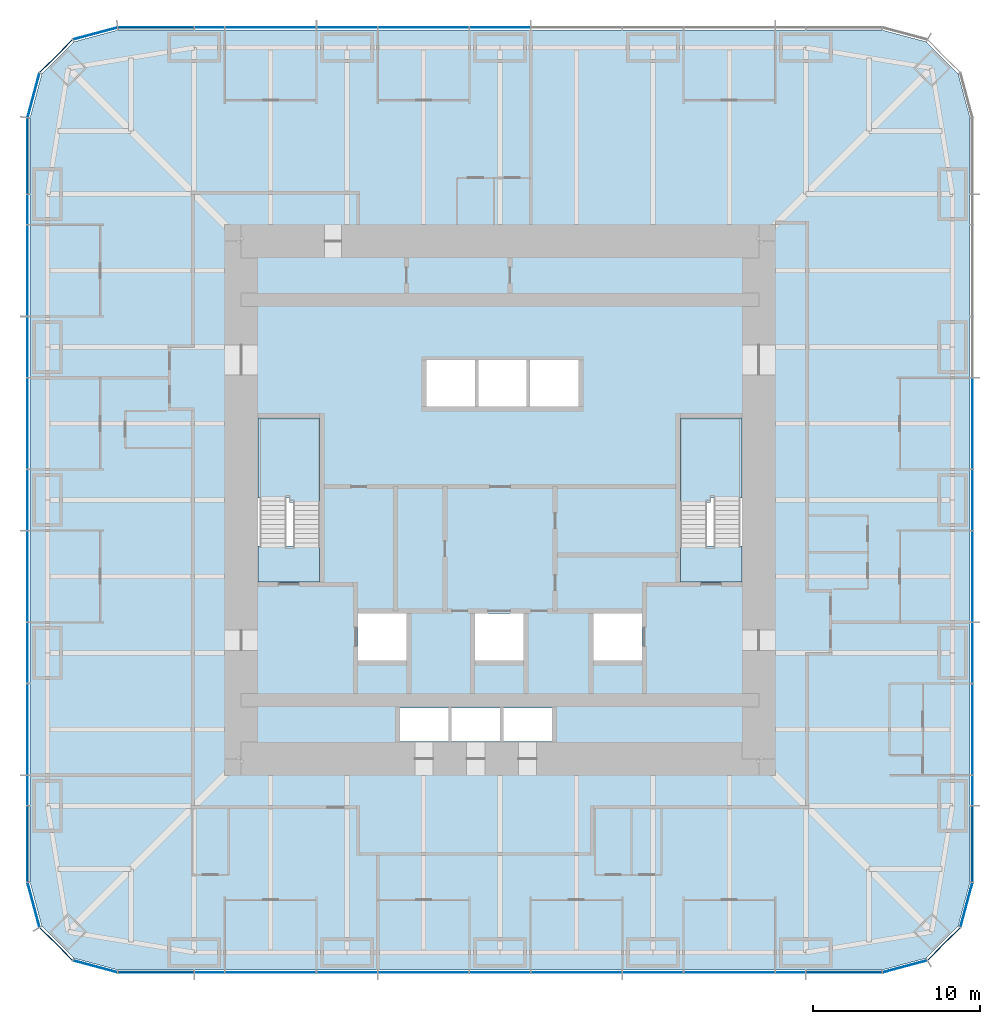
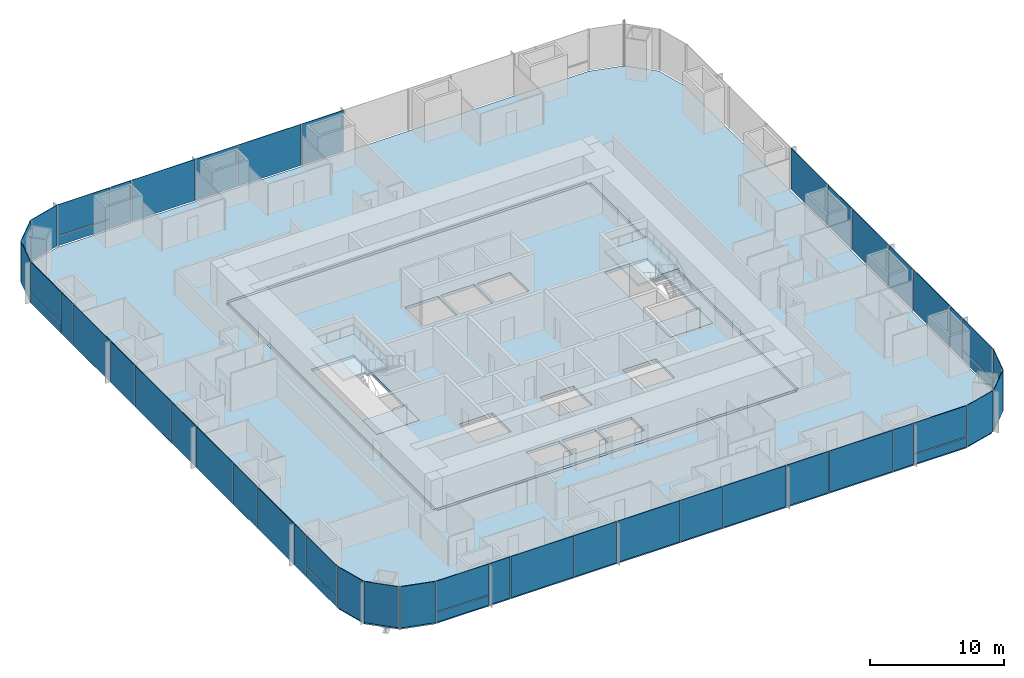
# One storey, part 6 of 11: 50 plates, 6 slabs, 9 elements without a shape of their own.
"""IFC4 building model written with IfcOpenShell, lengths in metres."""

from ifc_helpers import new_model, si_unit, direction, frame, origin, origin_2d, place, context, subcontext, project, spatial, polyline, rectangle, outline, extrude, material, layer, layer_set, type_object, element, aggregate, save


model = new_model("IFC4")

# Units and contexts
model_context = context("Model", 3, precision=1e-05, world=origin(), true_north=direction((0.0, 1.0)))
body_context = subcontext(model_context, "Body", "Model", "MODEL_VIEW")
ifc_project = project(units=[si_unit("LENGTHUNIT", "METRE"), si_unit("AREAUNIT", "SQUARE_METRE"), si_unit("VOLUMEUNIT", "CUBIC_METRE"), si_unit("PLANEANGLEUNIT", "RADIAN"), si_unit("MASSUNIT", "GRAM", prefix="KILO")], contexts=[model_context])

# Site, building, storey
site_placement = place(None, origin())
site = spatial("IfcSite", under=ifc_project, at=site_placement, CompositionType="ELEMENT")
building_placement = place(site_placement, origin())
building = spatial("IfcBuilding", under=site, at=building_placement, Name="Khuree Lantern Residences", CompositionType="ELEMENT")
storey_placement = place(building_placement, frame((0.0, 0.0, 174.75)))
storey = spatial("IfcBuildingStorey", under=building, at=storey_placement, Name="L44", CompositionType="ELEMENT", Elevation=174.75)

# Slab
ifc_material_1 = material(Name="Concrete C35/45", Category="concrete")
ifc_layer_1 = layer(ifc_material_1, 0.25)
ifc_layer_set_1 = layer_set([ifc_layer_1], Name="CFL250 CORE FLOOR SLAB 250")
slab_type_1 = type_object("IfcSlabType", Name="CFL250 CORE FLOOR SLAB 250", PredefinedType="FLOOR", material=ifc_layer_set_1)
slab_1_placement = place(storey_placement, frame((0.0, 0.0, -0.25)))
element("IfcSlab", 1, at=slab_1_placement, inside=storey, type_object=slab_type_1, Name="Core floor L44", PredefinedType="FLOOR", context=body_context, shape_type="SweptSolid", body=[
    extrude(outline(polyline([(-15.5, -15.5), (-15.5, 15.5), (15.5, 15.5), (15.5, -15.5), (-15.5, -15.5)]), holes=[polyline([(10.800048828125, 4.89990234375), (10.800048828125, -4.89990234375), (14.5, -4.89990234375), (14.5, 4.89990234375), (10.800048828125, 4.89990234375)]), polyline([(8.5, -6.800048828125), (5.60009765625, -6.800048828125), (5.60009765625, -9.60009765625), (8.5, -9.60009765625), (8.5, -6.800048828125)]), polyline([(4.699951171875, 8.39990234375), (1.800048828125, 8.39990234375), (1.800048828125, 5.60009765625), (4.699951171875, 5.60009765625), (4.699951171875, 8.39990234375)]), polyline([(3.10009765625, -12.449951171875), (0.199951171875, -12.449951171875), (0.199951171875, -14.449951171875), (3.10009765625, -14.449951171875), (3.10009765625, -12.449951171875)]), polyline([(1.60009765625, 8.39990234375), (-1.300048828125, 8.39990234375), (-1.300048828125, 5.60009765625), (1.60009765625, 5.60009765625), (1.60009765625, 8.39990234375)]), polyline([(1.39990234375, -6.800048828125), (-1.5, -6.800048828125), (-1.5, -9.60009765625), (1.39990234375, -9.60009765625), (1.39990234375, -6.800048828125)]), polyline([(-2.89990234375, -12.449951171875), (-2.89990234375, -14.449951171875), (0.0, -14.449951171875), (0.0, -12.449951171875), (-2.89990234375, -12.449951171875)]), polyline([(-4.39990234375, 8.39990234375), (-4.39990234375, 5.60009765625), (-1.5, 5.60009765625), (-1.5, 8.39990234375), (-4.39990234375, 8.39990234375)]), polyline([(-6.0, -12.449951171875), (-6.0, -14.449951171875), (-3.10009765625, -14.449951171875), (-3.10009765625, -12.449951171875), (-6.0, -12.449951171875)]), polyline([(-8.5, -6.800048828125), (-8.5, -9.60009765625), (-5.60009765625, -9.60009765625), (-5.60009765625, -6.800048828125), (-8.5, -6.800048828125)]), polyline([(-10.800048828125, 4.89990234375), (-14.5, 4.89990234375), (-14.5, -4.89990234375), (-10.800048828125, -4.89990234375), (-10.800048828125, 4.89990234375)])]), origin(), (0.0, 0.0, 1.0), 0.25),
])

# Curtain wall, plates
ifc_material_2 = material(Name="Bronze anodised aluminium", Category="aluminium")
curtain_wall_type_1 = type_object("IfcCurtainWallType", Name="CW-T2 TOWER CORNER CURTAIN WALL", PredefinedType="USERDEFINED", material=ifc_material_2)
curtain_wall_1_placement = place(storey_placement, origin())
curtain_wall_1 = element("IfcCurtainWall", 2, at=curtain_wall_1_placement, inside=storey, type_object=curtain_wall_type_1, Name="L44 SOUTH-EAST CORNER CURTAIN WALL", ObjectType="Faceted corner curtain wall", PredefinedType="USERDEFINED")
ifc_material_3 = material(Name="Bronze tinted triple glazing", Category="glass")
ifc_layer_2 = layer(ifc_material_3, 0.048095703125)
ifc_layer_set_2 = layer_set([ifc_layer_2], Name="FACET PANEL P4")
plate_type_1 = type_object("IfcPlateType", Name="FACET PANEL P4", PredefinedType="CURTAIN_PANEL", material=ifc_layer_set_2)
plate_1_placement = place(storey_placement, frame((24.248046875, -27.938720703125, 0.0), z_axis=(0.0, 0.0, 1.0), x_axis=(0.965925810153, 0.258819105321, 0.0)))
plate_1 = element("IfcPlate", 3, at=plate_1_placement, type_object=plate_type_1, Name="L44 SOUTH-EAST CORNER PANEL 1.1", PredefinedType="CURTAIN_PANEL", context=body_context, shape_type="SweptSolid", body=[
    extrude(rectangle(XDim=2.71923828125, YDim=0.048095703125, at=origin_2d()), origin(), (0.0, 0.0, 1.0), 3.75),
])
plate_2_placement = place(storey_placement, frame((26.58837890625, -26.58837890625, 0.0), z_axis=(0.0, 0.0, 1.0), x_axis=(0.707106781187, 0.707106781187, 0.0)))
plate_2 = element("IfcPlate", 4, at=plate_2_placement, type_object=plate_type_1, Name="L44 SOUTH-EAST CORNER PANEL 2.1", PredefinedType="CURTAIN_PANEL", context=body_context, shape_type="SweptSolid", body=[
    extrude(rectangle(XDim=2.715087890625, YDim=0.048095703125, at=origin_2d()), origin(), (0.0, 0.0, 1.0), 3.75),
])
plate_3_placement = place(storey_placement, frame((27.938720703125, -24.248046875, 0.0), z_axis=(0.0, 0.0, 1.0), x_axis=(0.258819105321, 0.965925810153, 0.0)))
plate_3 = element("IfcPlate", 5, at=plate_3_placement, type_object=plate_type_1, Name="L44 SOUTH-EAST CORNER PANEL 3.1", PredefinedType="CURTAIN_PANEL", context=body_context, shape_type="SweptSolid", body=[
    extrude(rectangle(XDim=2.71923828125, YDim=0.048095703125, at=origin_2d()), origin(), (0.0, 0.0, 1.0), 3.75),
])
aggregate(curtain_wall_1, [plate_1, plate_2, plate_3])

curtain_wall_2_placement = place(storey_placement, origin())
curtain_wall_2 = element("IfcCurtainWall", 6, at=curtain_wall_2_placement, inside=storey, type_object=curtain_wall_type_1, Name="L44 NORTH-WEST CORNER CURTAIN WALL", ObjectType="Faceted corner curtain wall", PredefinedType="USERDEFINED")
plate_4_placement = place(storey_placement, frame((-24.248046875, 27.938720703125, 0.0), z_axis=(0.0, 0.0, 1.0), x_axis=(-0.965925810153, -0.258819105321, 0.0)))
plate_4 = element("IfcPlate", 7, at=plate_4_placement, type_object=plate_type_1, Name="L44 NORTH-WEST CORNER PANEL 29.1", PredefinedType="CURTAIN_PANEL", context=body_context, shape_type="SweptSolid", body=[
    extrude(rectangle(XDim=2.71923828125, YDim=0.048095703125, at=origin_2d()), origin(), (0.0, 0.0, 1.0), 3.75),
])
plate_5_placement = place(storey_placement, frame((-26.58837890625, 26.58837890625, 0.0), z_axis=(0.0, 0.0, 1.0), x_axis=(-0.707106781187, -0.707106781187, 0.0)))
plate_5 = element("IfcPlate", 8, at=plate_5_placement, type_object=plate_type_1, Name="L44 NORTH-WEST CORNER PANEL 30.1", PredefinedType="CURTAIN_PANEL", context=body_context, shape_type="SweptSolid", body=[
    extrude(rectangle(XDim=2.715087890625, YDim=0.048095703125, at=origin_2d()), origin(), (0.0, 0.0, 1.0), 3.75),
])
plate_6_placement = place(storey_placement, frame((-27.938720703125, 24.248046875, 0.0), z_axis=(0.0, 0.0, 1.0), x_axis=(-0.258819105321, -0.965925810153, 0.0)))
plate_6 = element("IfcPlate", 9, at=plate_6_placement, type_object=plate_type_1, Name="L44 NORTH-WEST CORNER PANEL 31.1", PredefinedType="CURTAIN_PANEL", context=body_context, shape_type="SweptSolid", body=[
    extrude(rectangle(XDim=2.71923828125, YDim=0.048095703125, at=origin_2d()), origin(), (0.0, 0.0, 1.0), 3.75),
])
aggregate(curtain_wall_2, [plate_4, plate_5, plate_6])

curtain_wall_3_placement = place(storey_placement, origin())
curtain_wall_3 = element("IfcCurtainWall", 10, at=curtain_wall_3_placement, inside=storey, type_object=curtain_wall_type_1, Name="L44 SOUTH-WEST CORNER CURTAIN WALL", ObjectType="Faceted corner curtain wall", PredefinedType="USERDEFINED")
plate_7_placement = place(storey_placement, frame((-27.938720703125, -24.248046875, 0.0), z_axis=(0.0, 0.0, 1.0), x_axis=(0.258819105321, -0.965925810153, 0.0)))
plate_7 = element("IfcPlate", 11, at=plate_7_placement, type_object=plate_type_1, Name="L44 SOUTH-WEST CORNER PANEL 43.1", PredefinedType="CURTAIN_PANEL", context=body_context, shape_type="SweptSolid", body=[
    extrude(rectangle(XDim=2.71923828125, YDim=0.048095703125, at=origin_2d()), origin(), (0.0, 0.0, 1.0), 3.75),
])
plate_8_placement = place(storey_placement, frame((-26.58837890625, -26.58837890625, 0.0), z_axis=(0.0, 0.0, 1.0), x_axis=(0.707106781187, -0.707106781187, 0.0)))
plate_8 = element("IfcPlate", 12, at=plate_8_placement, type_object=plate_type_1, Name="L44 SOUTH-WEST CORNER PANEL 44.1", PredefinedType="CURTAIN_PANEL", context=body_context, shape_type="SweptSolid", body=[
    extrude(rectangle(XDim=2.715087890625, YDim=0.048095703125, at=origin_2d()), origin(), (0.0, 0.0, 1.0), 3.75),
])
plate_9_placement = place(storey_placement, frame((-24.248046875, -27.938720703125, 0.0), z_axis=(0.0, 0.0, 1.0), x_axis=(0.965925810153, -0.258819105321, 0.0)))
plate_9 = element("IfcPlate", 13, at=plate_9_placement, type_object=plate_type_1, Name="L44 SOUTH-WEST CORNER PANEL 45.1", PredefinedType="CURTAIN_PANEL", context=body_context, shape_type="SweptSolid", body=[
    extrude(rectangle(XDim=2.71923828125, YDim=0.048095703125, at=origin_2d()), origin(), (0.0, 0.0, 1.0), 3.75),
])
aggregate(curtain_wall_3, [plate_7, plate_8, plate_9])

curtain_wall_type_2 = type_object("IfcCurtainWallType", Name="CW-T1 TOWER FACE CURTAIN WALL", PredefinedType="USERDEFINED", material=ifc_material_2)
curtain_wall_4_placement = place(storey_placement, origin())
curtain_wall_4 = element("IfcCurtainWall", 14, at=curtain_wall_4_placement, inside=storey, type_object=curtain_wall_type_2, Name="L44 EAST FACE CURTAIN WALL", ObjectType="Stick-built curtain wall", PredefinedType="USERDEFINED")
ifc_material_4 = material(Name="Bronze tinted triple glazing with a ceramic-fritted spandrel band", Category="glass")
ifc_layer_3 = layer(ifc_material_4, 0.048095703125)
ifc_layer_set_3 = layer_set([ifc_layer_3], Name="FIXED LIGHT PANEL P11")
plate_type_2 = type_object("IfcPlateType", Name="FIXED LIGHT PANEL P11", PredefinedType="CURTAIN_PANEL", material=ifc_layer_set_3)
plate_10_placement = place(storey_placement, frame((28.300048828125, -13.739990234375, 0.0), z_axis=(0.0, 0.0, 1.0), x_axis=(0.0, 1.0, 0.0)))
plate_10 = element("IfcPlate", 15, at=plate_10_placement, type_object=plate_type_2, Name="L44 EAST FACE PANEL 6.1", PredefinedType="CURTAIN_PANEL", context=body_context, shape_type="SweptSolid", body=[
    extrude(rectangle(XDim=5.430908203125, YDim=0.048095703125, at=origin_2d()), origin(), (0.0, 0.0, 1.0), 3.75),
])
plate_11_placement = place(storey_placement, frame((28.300048828125, -4.580078125, 0.0), z_axis=(0.0, 0.0, 1.0), x_axis=(0.0, 1.0, 0.0)))
plate_11 = element("IfcPlate", 16, at=plate_11_placement, type_object=plate_type_2, Name="L44 EAST FACE PANEL 8.1", PredefinedType="CURTAIN_PANEL", context=body_context, shape_type="SweptSolid", body=[
    extrude(rectangle(XDim=5.430908203125, YDim=0.048095703125, at=origin_2d()), origin(), (0.0, 0.0, 1.0), 3.75),
])
plate_12_placement = place(storey_placement, frame((28.300048828125, 4.580078125, 0.0), z_axis=(0.0, 0.0, 1.0), x_axis=(0.0, 1.0, 0.0)))
plate_12 = element("IfcPlate", 17, at=plate_12_placement, type_object=plate_type_2, Name="L44 EAST FACE PANEL 10.1", PredefinedType="CURTAIN_PANEL", context=body_context, shape_type="SweptSolid", body=[
    extrude(rectangle(XDim=5.430908203125, YDim=0.048095703125, at=origin_2d()), origin(), (0.0, 0.0, 1.0), 3.75),
])

curtain_wall_5_placement = place(storey_placement, origin())
curtain_wall_5 = element("IfcCurtainWall", 18, at=curtain_wall_5_placement, inside=storey, type_object=curtain_wall_type_2, Name="L44 NORTH FACE CURTAIN WALL", ObjectType="Stick-built curtain wall", PredefinedType="USERDEFINED")
plate_13_placement = place(storey_placement, frame((-4.580078125, 28.300048828125, 0.0), z_axis=(0.0, 0.0, 1.0), x_axis=(-1.0, 0.0, 0.0)))
plate_13 = element("IfcPlate", 19, at=plate_13_placement, type_object=plate_type_2, Name="L44 NORTH FACE PANEL 24.1", PredefinedType="CURTAIN_PANEL", context=body_context, shape_type="SweptSolid", body=[
    extrude(rectangle(XDim=5.430908203125, YDim=0.048095703125, at=origin_2d()), origin(), (0.0, 0.0, 1.0), 3.75),
])
plate_14_placement = place(storey_placement, frame((-13.739990234375, 28.300048828125, 0.0), z_axis=(0.0, 0.0, 1.0), x_axis=(-1.0, 0.0, 0.0)))
plate_14 = element("IfcPlate", 20, at=plate_14_placement, type_object=plate_type_2, Name="L44 NORTH FACE PANEL 26.1", PredefinedType="CURTAIN_PANEL", context=body_context, shape_type="SweptSolid", body=[
    extrude(rectangle(XDim=5.430908203125, YDim=0.048095703125, at=origin_2d()), origin(), (0.0, 0.0, 1.0), 3.75),
])

curtain_wall_6_placement = place(storey_placement, origin())
curtain_wall_6 = element("IfcCurtainWall", 21, at=curtain_wall_6_placement, inside=storey, type_object=curtain_wall_type_2, Name="L44 WEST FACE CURTAIN WALL", ObjectType="Stick-built curtain wall", PredefinedType="USERDEFINED")
plate_15_placement = place(storey_placement, frame((-28.300048828125, 13.739990234375, 0.0), z_axis=(0.0, 0.0, 1.0), x_axis=(0.0, -1.0, 0.0)))
plate_15 = element("IfcPlate", 22, at=plate_15_placement, type_object=plate_type_2, Name="L44 WEST FACE PANEL 34.1", PredefinedType="CURTAIN_PANEL", context=body_context, shape_type="SweptSolid", body=[
    extrude(rectangle(XDim=5.430908203125, YDim=0.048095703125, at=origin_2d()), origin(), (0.0, 0.0, 1.0), 3.75),
])
plate_16_placement = place(storey_placement, frame((-28.300048828125, 4.580078125, 0.0), z_axis=(0.0, 0.0, 1.0), x_axis=(0.0, -1.0, 0.0)))
plate_16 = element("IfcPlate", 23, at=plate_16_placement, type_object=plate_type_2, Name="L44 WEST FACE PANEL 36.1", PredefinedType="CURTAIN_PANEL", context=body_context, shape_type="SweptSolid", body=[
    extrude(rectangle(XDim=5.430908203125, YDim=0.048095703125, at=origin_2d()), origin(), (0.0, 0.0, 1.0), 3.75),
])
plate_17_placement = place(storey_placement, frame((-28.300048828125, -4.580078125, 0.0), z_axis=(0.0, 0.0, 1.0), x_axis=(0.0, -1.0, 0.0)))
plate_17 = element("IfcPlate", 24, at=plate_17_placement, type_object=plate_type_2, Name="L44 WEST FACE PANEL 38.1", PredefinedType="CURTAIN_PANEL", context=body_context, shape_type="SweptSolid", body=[
    extrude(rectangle(XDim=5.430908203125, YDim=0.048095703125, at=origin_2d()), origin(), (0.0, 0.0, 1.0), 3.75),
])
plate_18_placement = place(storey_placement, frame((-28.300048828125, -13.739990234375, 0.0), z_axis=(0.0, 0.0, 1.0), x_axis=(0.0, -1.0, 0.0)))
plate_18 = element("IfcPlate", 25, at=plate_18_placement, type_object=plate_type_2, Name="L44 WEST FACE PANEL 40.1", PredefinedType="CURTAIN_PANEL", context=body_context, shape_type="SweptSolid", body=[
    extrude(rectangle(XDim=5.430908203125, YDim=0.048095703125, at=origin_2d()), origin(), (0.0, 0.0, 1.0), 3.75),
])

curtain_wall_7_placement = place(storey_placement, origin())
curtain_wall_7 = element("IfcCurtainWall", 26, at=curtain_wall_7_placement, inside=storey, type_object=curtain_wall_type_2, Name="L44 SOUTH FACE CURTAIN WALL", ObjectType="Stick-built curtain wall", PredefinedType="USERDEFINED")
plate_19_placement = place(storey_placement, frame((-13.739990234375, -28.300048828125, 0.0), z_axis=(0.0, 0.0, 1.0), x_axis=(1.0, 0.0, 0.0)))
plate_19 = element("IfcPlate", 27, at=plate_19_placement, type_object=plate_type_2, Name="L44 SOUTH FACE PANEL 48.1", PredefinedType="CURTAIN_PANEL", context=body_context, shape_type="SweptSolid", body=[
    extrude(rectangle(XDim=5.430908203125, YDim=0.048095703125, at=origin_2d()), origin(), (0.0, 0.0, 1.0), 3.75),
])
plate_20_placement = place(storey_placement, frame((-4.580078125, -28.300048828125, 0.0), z_axis=(0.0, 0.0, 1.0), x_axis=(1.0, 0.0, 0.0)))
plate_20 = element("IfcPlate", 28, at=plate_20_placement, type_object=plate_type_2, Name="L44 SOUTH FACE PANEL 50.1", PredefinedType="CURTAIN_PANEL", context=body_context, shape_type="SweptSolid", body=[
    extrude(rectangle(XDim=5.430908203125, YDim=0.048095703125, at=origin_2d()), origin(), (0.0, 0.0, 1.0), 3.75),
])
plate_21_placement = place(storey_placement, frame((4.580078125, -28.300048828125, 0.0), z_axis=(0.0, 0.0, 1.0), x_axis=(1.0, 0.0, 0.0)))
plate_21 = element("IfcPlate", 29, at=plate_21_placement, type_object=plate_type_2, Name="L44 SOUTH FACE PANEL 52.1", PredefinedType="CURTAIN_PANEL", context=body_context, shape_type="SweptSolid", body=[
    extrude(rectangle(XDim=5.430908203125, YDim=0.048095703125, at=origin_2d()), origin(), (0.0, 0.0, 1.0), 3.75),
])
plate_22_placement = place(storey_placement, frame((13.739990234375, -28.300048828125, 0.0), z_axis=(0.0, 0.0, 1.0), x_axis=(1.0, 0.0, 0.0)))
plate_22 = element("IfcPlate", 30, at=plate_22_placement, type_object=plate_type_2, Name="L44 SOUTH FACE PANEL 54.1", PredefinedType="CURTAIN_PANEL", context=body_context, shape_type="SweptSolid", body=[
    extrude(rectangle(XDim=5.430908203125, YDim=0.048095703125, at=origin_2d()), origin(), (0.0, 0.0, 1.0), 3.75),
])

# Slab
ifc_layer_4 = layer(ifc_material_1, 0.25)
ifc_layer_set_4 = layer_set([ifc_layer_4], Name="FS250 FLOOR SLAB 250")
slab_type_2 = type_object("IfcSlabType", Name="FS250 FLOOR SLAB 250", PredefinedType="FLOOR", material=ifc_layer_set_4)
slab_2_placement = place(storey_placement, frame((0.0, 0.0, -0.25)))
element("IfcSlab", 31, at=slab_2_placement, inside=storey, type_object=slab_type_2, Name="Floor slab L44", PredefinedType="FLOOR", context=body_context, shape_type="SweptSolid", body=[
    extrude(outline(polyline([(-25.52490234375, -27.446533203125), (-27.446533203125, -25.52490234375), (-28.14990234375, -22.89990234375), (-28.14990234375, 22.89990234375), (-27.446533203125, 25.52490234375), (-25.52490234375, 27.446533203125), (-22.89990234375, 28.14990234375), (22.89990234375, 28.14990234375), (25.52490234375, 27.446533203125), (27.446533203125, 25.52490234375), (28.14990234375, 22.89990234375), (28.14990234375, -22.89990234375), (27.446533203125, -25.52490234375), (25.52490234375, -27.446533203125), (22.89990234375, -28.14990234375), (-22.89990234375, -28.14990234375), (-25.52490234375, -27.446533203125)]), holes=[polyline([(15.75, 15.5), (15.5, 15.5), (15.5, 15.75), (-15.5, 15.75), (-15.5, 15.5), (-15.75, 15.5), (-15.75, -15.5), (-15.5, -15.5), (-15.5, -15.75), (15.5, -15.75), (15.5, -15.5), (15.75, -15.5), (15.75, 15.5)])]), origin(), (0.0, 0.0, 1.0), 0.25),
])

# Plate
ifc_material_5 = material(Name="Bronze tinted triple glazing, two aluminium-framed sashes in one frame", Category="aluminium")
ifc_layer_5 = layer(ifc_material_5, 0.048095703125)
ifc_layer_set_5 = layer_set([ifc_layer_5], Name="SASH PAIR PANEL P12")
plate_type_3 = type_object("IfcPlateType", Name="SASH PAIR PANEL P12", PredefinedType="CURTAIN_PANEL", material=ifc_layer_set_5)
plate_23_placement = place(storey_placement, frame((28.300048828125, -9.159912109375, 0.0), z_axis=(0.0, 0.0, 1.0), x_axis=(0.0, 1.0, 0.0)))
plate_23 = element("IfcPlate", 32, at=plate_23_placement, type_object=plate_type_3, Name="L44 EAST FACE PANEL 7.1", PredefinedType="CURTAIN_PANEL", context=body_context, shape_type="SweptSolid", body=[
    extrude(rectangle(XDim=3.59912109375, YDim=0.048095703125, at=origin_2d()), origin(), (0.0, 0.0, 1.0), 3.75),
])

plate_24_placement = place(storey_placement, frame((28.300048828125, 0.0, 0.0), z_axis=(0.0, 0.0, 1.0), x_axis=(0.0, 1.0, 0.0)))
plate_24 = element("IfcPlate", 33, at=plate_24_placement, type_object=plate_type_3, Name="L44 EAST FACE PANEL 9.1", PredefinedType="CURTAIN_PANEL", context=body_context, shape_type="SweptSolid", body=[
    extrude(rectangle(XDim=3.59912109375, YDim=0.048095703125, at=origin_2d()), origin(), (0.0, 0.0, 1.0), 3.75),
])

plate_25_placement = place(storey_placement, frame((0.0, 28.300048828125, 0.0), z_axis=(0.0, 0.0, 1.0), x_axis=(-1.0, 0.0, 0.0)))
plate_25 = element("IfcPlate", 34, at=plate_25_placement, type_object=plate_type_3, Name="L44 NORTH FACE PANEL 23.1", PredefinedType="CURTAIN_PANEL", context=body_context, shape_type="SweptSolid", body=[
    extrude(rectangle(XDim=3.59912109375, YDim=0.048095703125, at=origin_2d()), origin(), (0.0, 0.0, 1.0), 3.75),
])

plate_26_placement = place(storey_placement, frame((-9.159912109375, 28.300048828125, 0.0), z_axis=(0.0, 0.0, 1.0), x_axis=(-1.0, 0.0, 0.0)))
plate_26 = element("IfcPlate", 35, at=plate_26_placement, type_object=plate_type_3, Name="L44 NORTH FACE PANEL 25.1", PredefinedType="CURTAIN_PANEL", context=body_context, shape_type="SweptSolid", body=[
    extrude(rectangle(XDim=3.59912109375, YDim=0.048095703125, at=origin_2d()), origin(), (0.0, 0.0, 1.0), 3.75),
])

plate_27_placement = place(storey_placement, frame((-28.300048828125, 9.159912109375, 0.0), z_axis=(0.0, 0.0, 1.0), x_axis=(0.0, -1.0, 0.0)))
plate_27 = element("IfcPlate", 36, at=plate_27_placement, type_object=plate_type_3, Name="L44 WEST FACE PANEL 35.1", PredefinedType="CURTAIN_PANEL", context=body_context, shape_type="SweptSolid", body=[
    extrude(rectangle(XDim=3.59912109375, YDim=0.048095703125, at=origin_2d()), origin(), (0.0, 0.0, 1.0), 3.75),
])

plate_28_placement = place(storey_placement, frame((-28.300048828125, 0.0, 0.0), z_axis=(0.0, 0.0, 1.0), x_axis=(0.0, -1.0, 0.0)))
plate_28 = element("IfcPlate", 37, at=plate_28_placement, type_object=plate_type_3, Name="L44 WEST FACE PANEL 37.1", PredefinedType="CURTAIN_PANEL", context=body_context, shape_type="SweptSolid", body=[
    extrude(rectangle(XDim=3.59912109375, YDim=0.048095703125, at=origin_2d()), origin(), (0.0, 0.0, 1.0), 3.75),
])

plate_29_placement = place(storey_placement, frame((-28.300048828125, -9.159912109375, 0.0), z_axis=(0.0, 0.0, 1.0), x_axis=(0.0, -1.0, 0.0)))
plate_29 = element("IfcPlate", 38, at=plate_29_placement, type_object=plate_type_3, Name="L44 WEST FACE PANEL 39.1", PredefinedType="CURTAIN_PANEL", context=body_context, shape_type="SweptSolid", body=[
    extrude(rectangle(XDim=3.59912109375, YDim=0.048095703125, at=origin_2d()), origin(), (0.0, 0.0, 1.0), 3.75),
])

plate_30_placement = place(storey_placement, frame((-9.159912109375, -28.300048828125, 0.0), z_axis=(0.0, 0.0, 1.0), x_axis=(1.0, 0.0, 0.0)))
plate_30 = element("IfcPlate", 39, at=plate_30_placement, type_object=plate_type_3, Name="L44 SOUTH FACE PANEL 49.1", PredefinedType="CURTAIN_PANEL", context=body_context, shape_type="SweptSolid", body=[
    extrude(rectangle(XDim=3.59912109375, YDim=0.048095703125, at=origin_2d()), origin(), (0.0, 0.0, 1.0), 3.75),
])

plate_31_placement = place(storey_placement, frame((0.0, -28.300048828125, 0.0), z_axis=(0.0, 0.0, 1.0), x_axis=(1.0, 0.0, 0.0)))
plate_31 = element("IfcPlate", 40, at=plate_31_placement, type_object=plate_type_3, Name="L44 SOUTH FACE PANEL 51.1", PredefinedType="CURTAIN_PANEL", context=body_context, shape_type="SweptSolid", body=[
    extrude(rectangle(XDim=3.59912109375, YDim=0.048095703125, at=origin_2d()), origin(), (0.0, 0.0, 1.0), 3.75),
])

plate_32_placement = place(storey_placement, frame((9.159912109375, -28.300048828125, 0.0), z_axis=(0.0, 0.0, 1.0), x_axis=(1.0, 0.0, 0.0)))
plate_32 = element("IfcPlate", 41, at=plate_32_placement, type_object=plate_type_3, Name="L44 SOUTH FACE PANEL 53.1", PredefinedType="CURTAIN_PANEL", context=body_context, shape_type="SweptSolid", body=[
    extrude(rectangle(XDim=3.59912109375, YDim=0.048095703125, at=origin_2d()), origin(), (0.0, 0.0, 1.0), 3.75),
])

ifc_material_6 = material(Name="Bronze tinted triple glazing, aluminium-framed sash", Category="aluminium")
ifc_layer_6 = layer(ifc_material_6, 0.048095703125)
ifc_layer_set_6 = layer_set([ifc_layer_6], Name="SASH PANEL P3")
plate_type_4 = type_object("IfcPlateType", Name="SASH PANEL P3", PredefinedType="CURTAIN_PANEL", material=ifc_layer_set_6)
plate_33_placement = place(storey_placement, frame((28.300048828125, -17.404052734375, 0.0), z_axis=(0.0, 0.0, 1.0), x_axis=(0.0, 1.0, 0.0)))
plate_33 = element("IfcPlate", 42, at=plate_33_placement, type_object=plate_type_4, Name="L44 EAST FACE PANEL 5.1", PredefinedType="CURTAIN_PANEL", context=body_context, shape_type="SweptSolid", body=[
    extrude(rectangle(XDim=1.76708984375, YDim=0.048095703125, at=origin_2d()), origin(), (0.0, 0.0, 1.0), 3.75),
])

plate_34_placement = place(storey_placement, frame((-17.404052734375, 28.300048828125, 0.0), z_axis=(0.0, 0.0, 1.0), x_axis=(-1.0, 0.0, 0.0)))
plate_34 = element("IfcPlate", 43, at=plate_34_placement, type_object=plate_type_4, Name="L44 NORTH FACE PANEL 27.1", PredefinedType="CURTAIN_PANEL", context=body_context, shape_type="SweptSolid", body=[
    extrude(rectangle(XDim=1.76708984375, YDim=0.048095703125, at=origin_2d()), origin(), (0.0, 0.0, 1.0), 3.75),
])

plate_35_placement = place(storey_placement, frame((-28.300048828125, 17.404052734375, 0.0), z_axis=(0.0, 0.0, 1.0), x_axis=(0.0, -1.0, 0.0)))
plate_35 = element("IfcPlate", 44, at=plate_35_placement, type_object=plate_type_4, Name="L44 WEST FACE PANEL 33.1", PredefinedType="CURTAIN_PANEL", context=body_context, shape_type="SweptSolid", body=[
    extrude(rectangle(XDim=1.76708984375, YDim=0.048095703125, at=origin_2d()), origin(), (0.0, 0.0, 1.0), 3.75),
])

plate_36_placement = place(storey_placement, frame((-28.300048828125, -17.404052734375, 0.0), z_axis=(0.0, 0.0, 1.0), x_axis=(0.0, -1.0, 0.0)))
plate_36 = element("IfcPlate", 45, at=plate_36_placement, type_object=plate_type_4, Name="L44 WEST FACE PANEL 41.1", PredefinedType="CURTAIN_PANEL", context=body_context, shape_type="SweptSolid", body=[
    extrude(rectangle(XDim=1.76708984375, YDim=0.048095703125, at=origin_2d()), origin(), (0.0, 0.0, 1.0), 3.75),
])

plate_37_placement = place(storey_placement, frame((-17.404052734375, -28.300048828125, 0.0), z_axis=(0.0, 0.0, 1.0), x_axis=(1.0, 0.0, 0.0)))
plate_37 = element("IfcPlate", 46, at=plate_37_placement, type_object=plate_type_4, Name="L44 SOUTH FACE PANEL 47.1", PredefinedType="CURTAIN_PANEL", context=body_context, shape_type="SweptSolid", body=[
    extrude(rectangle(XDim=1.76708984375, YDim=0.048095703125, at=origin_2d()), origin(), (0.0, 0.0, 1.0), 3.75),
])

plate_38_placement = place(storey_placement, frame((17.404052734375, -28.300048828125, 0.0), z_axis=(0.0, 0.0, 1.0), x_axis=(1.0, 0.0, 0.0)))
plate_38 = element("IfcPlate", 47, at=plate_38_placement, type_object=plate_type_4, Name="L44 SOUTH FACE PANEL 55.1", PredefinedType="CURTAIN_PANEL", context=body_context, shape_type="SweptSolid", body=[
    extrude(rectangle(XDim=1.76708984375, YDim=0.048095703125, at=origin_2d()), origin(), (0.0, 0.0, 1.0), 3.75),
])

ifc_material_7 = material(Name="Bronze anodised aluminium insulated spandrel", Category="aluminium")
ifc_layer_7 = layer(ifc_material_7, 0.06005859375)
ifc_layer_set_7 = layer_set([ifc_layer_7], Name="SPANDREL PANEL P2")
plate_type_5 = type_object("IfcPlateType", Name="SPANDREL PANEL P2", PredefinedType="CURTAIN_PANEL", material=ifc_layer_set_7)
plate_39_placement = place(storey_placement, frame((28.300048828125, -20.60791015625, 0.0), z_axis=(0.0, 0.0, 1.0), x_axis=(0.0, 1.0, 0.0)))
plate_39 = element("IfcPlate", 48, at=plate_39_placement, type_object=plate_type_5, Name="L44 EAST FACE PANEL 4.1", PredefinedType="CURTAIN_PANEL", context=body_context, shape_type="SweptSolid", body=[
    extrude(rectangle(XDim=4.5107421875, YDim=0.06005859375, at=origin_2d()), origin(), (0.0, 0.0, 1.0), 0.867431640625),
])

plate_40_placement = place(storey_placement, frame((-20.60791015625, 28.300048828125, 0.0), z_axis=(0.0, 0.0, 1.0), x_axis=(-1.0, 0.0, 0.0)))
plate_40 = element("IfcPlate", 49, at=plate_40_placement, type_object=plate_type_5, Name="L44 NORTH FACE PANEL 28.1", PredefinedType="CURTAIN_PANEL", context=body_context, shape_type="SweptSolid", body=[
    extrude(rectangle(XDim=4.5107421875, YDim=0.06005859375, at=origin_2d()), origin(), (0.0, 0.0, 1.0), 0.867431640625),
])

plate_41_placement = place(storey_placement, frame((-28.300048828125, 20.60791015625, 0.0), z_axis=(0.0, 0.0, 1.0), x_axis=(0.0, -1.0, 0.0)))
plate_41 = element("IfcPlate", 50, at=plate_41_placement, type_object=plate_type_5, Name="L44 WEST FACE PANEL 32.1", PredefinedType="CURTAIN_PANEL", context=body_context, shape_type="SweptSolid", body=[
    extrude(rectangle(XDim=4.5107421875, YDim=0.06005859375, at=origin_2d()), origin(), (0.0, 0.0, 1.0), 0.867431640625),
])

plate_42_placement = place(storey_placement, frame((-28.300048828125, -20.60791015625, 0.0), z_axis=(0.0, 0.0, 1.0), x_axis=(0.0, -1.0, 0.0)))
plate_42 = element("IfcPlate", 51, at=plate_42_placement, type_object=plate_type_5, Name="L44 WEST FACE PANEL 42.1", PredefinedType="CURTAIN_PANEL", context=body_context, shape_type="SweptSolid", body=[
    extrude(rectangle(XDim=4.5107421875, YDim=0.06005859375, at=origin_2d()), origin(), (0.0, 0.0, 1.0), 0.867431640625),
])

plate_43_placement = place(storey_placement, frame((-20.60791015625, -28.300048828125, 0.0), z_axis=(0.0, 0.0, 1.0), x_axis=(1.0, 0.0, 0.0)))
plate_43 = element("IfcPlate", 52, at=plate_43_placement, type_object=plate_type_5, Name="L44 SOUTH FACE PANEL 46.1", PredefinedType="CURTAIN_PANEL", context=body_context, shape_type="SweptSolid", body=[
    extrude(rectangle(XDim=4.5107421875, YDim=0.06005859375, at=origin_2d()), origin(), (0.0, 0.0, 1.0), 0.867431640625),
])

plate_44_placement = place(storey_placement, frame((20.60791015625, -28.300048828125, 0.0), z_axis=(0.0, 0.0, 1.0), x_axis=(1.0, 0.0, 0.0)))
plate_44 = element("IfcPlate", 53, at=plate_44_placement, type_object=plate_type_5, Name="L44 SOUTH FACE PANEL 56.1", PredefinedType="CURTAIN_PANEL", context=body_context, shape_type="SweptSolid", body=[
    extrude(rectangle(XDim=4.5107421875, YDim=0.06005859375, at=origin_2d()), origin(), (0.0, 0.0, 1.0), 0.867431640625),
])

# Stair, slabs
ifc_material_8 = material(Name="Concrete C40/50", Category="concrete")
stair_type = type_object("IfcStairType", Name="STAIR ST1 HALF TURN 3600", PredefinedType="HALF_TURN_STAIR", material=ifc_material_8)
stair_1_placement = place(storey_placement, origin())
stair_1 = element("IfcStair", 54, at=stair_1_placement, inside=storey, type_object=stair_type, Name="Stair ST1", PredefinedType="HALF_TURN_STAIR")
ifc_layer_8 = layer(ifc_material_8, 0.199951171875)
ifc_layer_set_8 = layer_set([ifc_layer_8], Name="STAIR LANDING SL1 200")
slab_type_3 = type_object("IfcSlabType", Name="STAIR LANDING SL1 200", PredefinedType="LANDING", material=ifc_layer_set_8)
slab_3_placement = place(storey_placement, frame((0.0, 0.0, -0.199951171875)))
slab_3 = element("IfcSlab", 55, at=slab_3_placement, type_object=slab_type_3, Name="ST1 landing 1", PredefinedType="LANDING", context=body_context, shape_type="SweptSolid", body=[
    extrude(outline(polyline([(-14.5, -4.89990234375), (-10.800048828125, -4.89990234375), (-10.800048828125, -2.760009765625), (-14.5, -2.760009765625), (-14.5, -4.89990234375)])), origin(), (0.0, 0.0, 1.0), 0.199951171875),
])
slab_4_placement = place(storey_placement, frame((0.0, 0.0, 1.756591796875)))
slab_4 = element("IfcSlab", 56, at=slab_4_placement, type_object=slab_type_3, Name="ST1 landing 2", PredefinedType="LANDING", context=body_context, shape_type="SweptSolid", body=[
    extrude(outline(polyline([(-14.5, 0.1201171875), (-14.5, 4.89990234375), (-10.800048828125, 4.89990234375), (-10.800048828125, -0.159912109375), (-12.60009765625, -0.159912109375), (-12.60009765625, 0.1201171875), (-14.5, 0.1201171875)])), origin(), (0.0, 0.0, 1.0), 0.199951171875),
])
aggregate(stair_1, [slab_3, slab_4])

stair_2_placement = place(storey_placement, origin())
stair_2 = element("IfcStair", 57, at=stair_2_placement, inside=storey, type_object=stair_type, Name="Stair ST2", PredefinedType="HALF_TURN_STAIR")
slab_5_placement = place(storey_placement, frame((0.0, 0.0, -0.199951171875)))
slab_5 = element("IfcSlab", 58, at=slab_5_placement, type_object=slab_type_3, Name="ST2 landing 1", PredefinedType="LANDING", context=body_context, shape_type="SweptSolid", body=[
    extrude(outline(polyline([(10.800048828125, -4.89990234375), (14.5, -4.89990234375), (14.5, -2.760009765625), (10.800048828125, -2.760009765625), (10.800048828125, -4.89990234375)])), origin(), (0.0, 0.0, 1.0), 0.199951171875),
])
slab_6_placement = place(storey_placement, frame((0.0, 0.0, 1.756591796875)))
slab_6 = element("IfcSlab", 59, at=slab_6_placement, type_object=slab_type_3, Name="ST2 landing 2", PredefinedType="LANDING", context=body_context, shape_type="SweptSolid", body=[
    extrude(outline(polyline([(14.5, 4.89990234375), (14.5, 0.1201171875), (12.60009765625, 0.1201171875), (12.60009765625, -0.159912109375), (10.800048828125, -0.159912109375), (10.800048828125, 4.89990234375), (14.5, 4.89990234375)])), origin(), (0.0, 0.0, 1.0), 0.199951171875),
])
aggregate(stair_2, [slab_5, slab_6])

# Plate
ifc_layer_9 = layer(ifc_material_3, 0.048095703125)
ifc_layer_set_9 = layer_set([ifc_layer_9], Name="VISION PANEL P1")
plate_type_6 = type_object("IfcPlateType", Name="VISION PANEL P1", PredefinedType="CURTAIN_PANEL", material=ifc_layer_set_9)
plate_45_placement = place(storey_placement, frame((28.300048828125, -20.6083984375, 0.9326171875), z_axis=(0.0, 0.0, 1.0), x_axis=(0.0, 1.0, 0.0)))
plate_45 = element("IfcPlate", 60, at=plate_45_placement, type_object=plate_type_6, Name="L44 EAST FACE PANEL 4.2", PredefinedType="CURTAIN_PANEL", context=body_context, shape_type="SweptSolid", body=[
    extrude(rectangle(XDim=4.511474609375, YDim=0.048095703125, at=origin_2d()), origin(), (0.0, 0.0, 1.0), 2.8173828125),
])

aggregate(curtain_wall_4, [plate_39, plate_45, plate_33, plate_10, plate_23, plate_11, plate_24, plate_12])

plate_46_placement = place(storey_placement, frame((-20.6083984375, 28.300048828125, 0.9326171875), z_axis=(0.0, 0.0, 1.0), x_axis=(-1.0, 0.0, 0.0)))
plate_46 = element("IfcPlate", 61, at=plate_46_placement, type_object=plate_type_6, Name="L44 NORTH FACE PANEL 28.2", PredefinedType="CURTAIN_PANEL", context=body_context, shape_type="SweptSolid", body=[
    extrude(rectangle(XDim=4.511474609375, YDim=0.048095703125, at=origin_2d()), origin(), (0.0, 0.0, 1.0), 2.8173828125),
])

aggregate(curtain_wall_5, [plate_25, plate_13, plate_26, plate_14, plate_34, plate_40, plate_46])

plate_47_placement = place(storey_placement, frame((-28.300048828125, 20.6083984375, 0.9326171875), z_axis=(0.0, 0.0, 1.0), x_axis=(0.0, -1.0, 0.0)))
plate_47 = element("IfcPlate", 62, at=plate_47_placement, type_object=plate_type_6, Name="L44 WEST FACE PANEL 32.2", PredefinedType="CURTAIN_PANEL", context=body_context, shape_type="SweptSolid", body=[
    extrude(rectangle(XDim=4.511474609375, YDim=0.048095703125, at=origin_2d()), origin(), (0.0, 0.0, 1.0), 2.8173828125),
])

plate_48_placement = place(storey_placement, frame((-28.300048828125, -20.6083984375, 0.9326171875), z_axis=(0.0, 0.0, 1.0), x_axis=(0.0, -1.0, 0.0)))
plate_48 = element("IfcPlate", 63, at=plate_48_placement, type_object=plate_type_6, Name="L44 WEST FACE PANEL 42.2", PredefinedType="CURTAIN_PANEL", context=body_context, shape_type="SweptSolid", body=[
    extrude(rectangle(XDim=4.511474609375, YDim=0.048095703125, at=origin_2d()), origin(), (0.0, 0.0, 1.0), 2.8173828125),
])

aggregate(curtain_wall_6, [plate_41, plate_47, plate_35, plate_15, plate_27, plate_16, plate_28, plate_17, plate_29, plate_18, plate_36, plate_42, plate_48])

plate_49_placement = place(storey_placement, frame((-20.6083984375, -28.300048828125, 0.9326171875), z_axis=(0.0, 0.0, 1.0), x_axis=(1.0, 0.0, 0.0)))
plate_49 = element("IfcPlate", 64, at=plate_49_placement, type_object=plate_type_6, Name="L44 SOUTH FACE PANEL 46.2", PredefinedType="CURTAIN_PANEL", context=body_context, shape_type="SweptSolid", body=[
    extrude(rectangle(XDim=4.511474609375, YDim=0.048095703125, at=origin_2d()), origin(), (0.0, 0.0, 1.0), 2.8173828125),
])

plate_50_placement = place(storey_placement, frame((20.6083984375, -28.300048828125, 0.9326171875), z_axis=(0.0, 0.0, 1.0), x_axis=(1.0, 0.0, 0.0)))
plate_50 = element("IfcPlate", 65, at=plate_50_placement, type_object=plate_type_6, Name="L44 SOUTH FACE PANEL 56.2", PredefinedType="CURTAIN_PANEL", context=body_context, shape_type="SweptSolid", body=[
    extrude(rectangle(XDim=4.511474609375, YDim=0.048095703125, at=origin_2d()), origin(), (0.0, 0.0, 1.0), 2.8173828125),
])

aggregate(curtain_wall_7, [plate_43, plate_49, plate_37, plate_19, plate_30, plate_20, plate_31, plate_21, plate_32, plate_22, plate_38, plate_44, plate_50])

save(model, "model.ifc")
